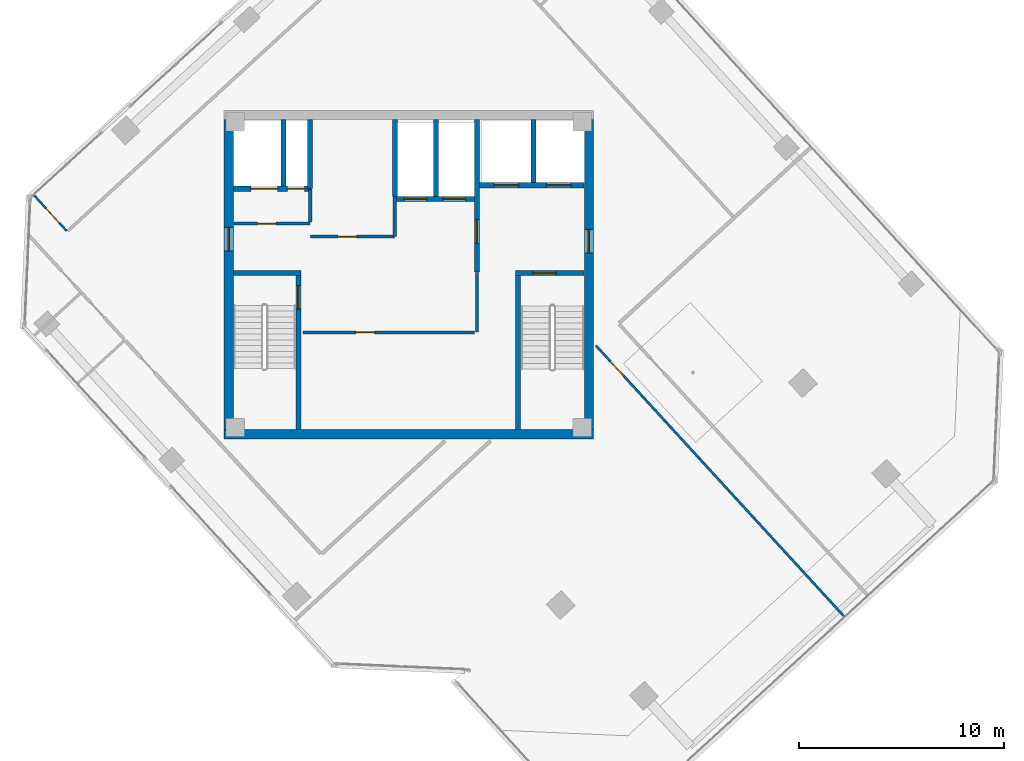
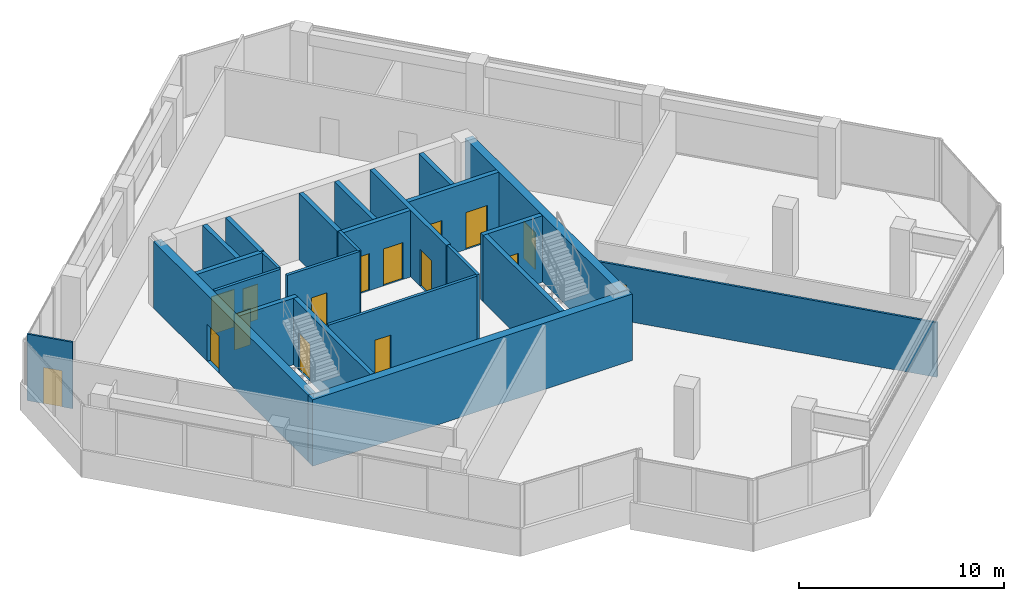
# One storey, part 13 of 18: 24 walls, 16 doors, 16 openings.
"""IFC4 building model written with IfcOpenShell, lengths in metres."""

from ifc_helpers import new_model, si_unit, direction, frame, frame_2d, origin, place, context, subcontext, project, spatial, rectangle, extrude, source, transform, mapped, material, layer, layer_set, type_object, element, fill, save


model = new_model("IFC4")

# Units and contexts
model_context = context("Model", 3, precision=1e-05, world=origin(), true_north=direction((0.0, 1.0)))
body_context = subcontext(model_context, "Body", "Model", "MODEL_VIEW")
ifc_project = project(units=[si_unit("LENGTHUNIT", "METRE"), si_unit("AREAUNIT", "SQUARE_METRE"), si_unit("VOLUMEUNIT", "CUBIC_METRE"), si_unit("PLANEANGLEUNIT", "RADIAN"), si_unit("MASSUNIT", "GRAM", prefix="KILO")], contexts=[model_context])

# Site, building, storey
site_placement = place(None, origin())
site = spatial("IfcSite", under=ifc_project, at=site_placement, CompositionType="ELEMENT")
building_placement = place(site_placement, origin())
building = spatial("IfcBuilding", under=site, at=building_placement, Name="Torre Montelarca", CompositionType="ELEMENT")
storey_placement = place(building_placement, frame((0.0, 0.0, 258.39990234375)))
storey = spatial("IfcBuildingStorey", under=building, at=storey_placement, Name="L58", CompositionType="ELEMENT", Elevation=258.39990234375)

# Wall, opening, door
ifc_material_1 = material(Name="Concrete C40/50", Category="concrete")
ifc_layer_1 = layer(ifc_material_1, 0.25, Name="Concrete C40/50", Category="concrete")
ifc_layer_set_1 = layer_set([ifc_layer_1], Name="Concrete C40/50")
wall_type_1 = type_object("IfcWallType", Name="CW-SHAFT-250", PredefinedType="SHEAR", material=ifc_layer_set_1)
wall_1_placement = place(storey_placement, frame((12.625, 24.4599609375, 0.0), z_axis=(0.0, 0.0, 1.0), x_axis=(0.0, 1.0, 0.0)))
wall_1 = element("IfcWall", 1, at=wall_1_placement, inside=storey, type_object=wall_type_1, Name="L58 Core Shear Wall SH-ST1-E", PredefinedType="SHEAR", context=body_context, shape_type="SweptSolid", body=[
    extrude(rectangle(XDim=7.489990234375, YDim=0.25, at=frame_2d((3.7451171875, 0.0))), origin(), (0.0, 0.0, 1.0), 3.960205078125),
])
opening_1_placement = place(wall_1_placement, frame((5.85009765625, 0.0, 0.0)))
opening_1 = element("IfcOpeningElement", 2, at=opening_1_placement, cuts=wall_1, Name="Opening FD-ST1", PredefinedType="OPENING", context=body_context, shape_type="SweptSolid", body=[
    extrude(rectangle(XDim=1.14990234375, YDim=2.199951171875, at=frame_2d((0.574951171875, 1.10009765625))), frame((0.0, 0.135009765625, 0.0), z_axis=(0.0, -1.0, 0.0), x_axis=(1.0, 0.0, 0.0)), (0.0, 0.0, 1.0), 0.27001953125),
])
ifc_material_2 = material(Name="Galvanized steel fire door", Category="steel")
door_type_1 = type_object("IfcDoorType", Name="DR-STAIR-115", OperationType="NOTDEFINED", PredefinedType="DOOR", material=ifc_material_2)
shared_shape_1 = source(origin(), body_context, "Body", "SweptSolid", [
    extrude(rectangle(XDim=1.14990234375, YDim=2.199951171875, at=frame_2d((0.574951171875, 1.10009765625))), frame((0.0, 0.02490234375, 0.0), z_axis=(0.0, -1.0, 0.0), x_axis=(1.0, 0.0, 0.0)), (0.0, 0.0, 1.0), 0.050048828125),
])
door_1_placement = place(opening_1_placement, origin())
door_1 = element("IfcDoor", 3, at=door_1_placement, inside=storey, type_object=door_type_1, Name="L58 Exit Stair ST1 Fire Door", OperationType="SINGLE_SWING_RIGHT", OverallHeight=2.199951171875, OverallWidth=1.14990234375, PredefinedType="DOOR", context=body_context, shape_type="MappedRepresentation", body=[
    mapped(shared_shape_1, transform((0.0, 0.0, 0.0), scale=1.0)),
])
fill(opening_1, door_1)

# Walls
wall_2_placement = place(storey_placement, frame((9.4599609375, 32.074951171875, 0.0), z_axis=(0.0, 0.0, 1.0), x_axis=(1.0, 0.0, 0.0)))
element("IfcWall", 4, at=wall_2_placement, inside=storey, type_object=wall_type_1, Name="L58 Core Shear Wall SH-ST1-N", PredefinedType="SHEAR", context=body_context, shape_type="SweptSolid", body=[
    extrude(rectangle(XDim=3.2900390625, YDim=0.25, at=frame_2d((1.64501953125, 0.0))), origin(), (0.0, 0.0, 1.0), 3.960205078125),
])
wall_3_placement = place(storey_placement, frame((23.31494140625, 24.4599609375, 0.0), z_axis=(0.0, 0.0, 1.0), x_axis=(0.0, 1.0, 0.0)))
element("IfcWall", 5, at=wall_3_placement, inside=storey, type_object=wall_type_1, Name="L58 Core Shear Wall SH-ST2-W", PredefinedType="SHEAR", context=body_context, shape_type="SweptSolid", body=[
    extrude(rectangle(XDim=7.489990234375, YDim=0.25, at=frame_2d((3.7451171875, 0.0))), origin(), (0.0, 0.0, 1.0), 3.960205078125),
])

# Wall, opening, door
wall_4_placement = place(storey_placement, frame((23.18994140625, 32.074951171875, 0.0), z_axis=(0.0, 0.0, 1.0), x_axis=(1.0, 0.0, 0.0)))
wall_4 = element("IfcWall", 6, at=wall_4_placement, inside=storey, type_object=wall_type_1, Name="L58 Core Shear Wall SH-ST2-N", PredefinedType="SHEAR", context=body_context, shape_type="SweptSolid", body=[
    extrude(rectangle(XDim=3.35009765625, YDim=0.25, at=frame_2d((1.675048828125, 0.0))), origin(), (0.0, 0.0, 1.0), 3.960205078125),
])
opening_2_placement = place(wall_4_placement, frame((0.85009765625, 0.0, 0.0)))
opening_2 = element("IfcOpeningElement", 7, at=opening_2_placement, cuts=wall_4, Name="Opening FD-ST1", PredefinedType="OPENING", context=body_context, shape_type="SweptSolid", body=[
    extrude(rectangle(XDim=1.14990234375, YDim=2.199951171875, at=frame_2d((0.574951171875, 1.10009765625))), frame((0.0, 0.135009765625, 0.0), z_axis=(0.0, -1.0, 0.0), x_axis=(1.0, 0.0, 0.0)), (0.0, 0.0, 1.0), 0.27001953125),
])
door_2_placement = place(opening_2_placement, origin())
door_2 = element("IfcDoor", 8, at=door_2_placement, inside=storey, type_object=door_type_1, Name="L58 Exit Stair ST2 Fire Door", OperationType="SINGLE_SWING_RIGHT", OverallHeight=2.199951171875, OverallWidth=1.14990234375, PredefinedType="DOOR", context=body_context, shape_type="MappedRepresentation", body=[
    mapped(shared_shape_1, transform((0.0, 0.0, 0.0), scale=1.0)),
])
fill(opening_2, door_2)

wall_5_placement = place(storey_placement, frame((21.320068359375, 32.1201171875, 0.0), z_axis=(0.0, 0.0, 1.0), x_axis=(0.0, 1.0, 0.0)))
wall_5 = element("IfcWall", 9, at=wall_5_placement, inside=storey, type_object=wall_type_1, Name="L58 Core Shear Wall SH-FFL-W", PredefinedType="SHEAR", context=body_context, shape_type="SweptSolid", body=[
    extrude(rectangle(XDim=7.419921875, YDim=0.25, at=frame_2d((3.7099609375, 0.0))), origin(), (0.0, 0.0, 1.0), 3.960205078125),
])
opening_3_placement = place(wall_5_placement, frame((1.39990234375, 0.0, 0.0)))
opening_3 = element("IfcOpeningElement", 10, at=opening_3_placement, cuts=wall_5, Name="Opening FD-LB1", PredefinedType="OPENING", context=body_context, shape_type="SweptSolid", body=[
    extrude(rectangle(XDim=1.14990234375, YDim=2.199951171875, at=frame_2d((0.574951171875, 1.10009765625))), frame((0.0, 0.135009765625, 0.0), z_axis=(0.0, -1.0, 0.0), x_axis=(1.0, 0.0, 0.0)), (0.0, 0.0, 1.0), 0.27001953125),
])
ifc_material_3 = material(Name="Acoustic timber-veneered fire door", Category="wood")
door_type_2 = type_object("IfcDoorType", Name="DR-LOBBY-115", OperationType="NOTDEFINED", PredefinedType="DOOR", material=ifc_material_3)
shared_shape_2 = source(origin(), body_context, "Body", "SweptSolid", [
    extrude(rectangle(XDim=1.14990234375, YDim=2.199951171875, at=frame_2d((0.574951171875, 1.10009765625))), frame((0.0, 0.02490234375, 0.0), z_axis=(0.0, -1.0, 0.0), x_axis=(1.0, 0.0, 0.0)), (0.0, 0.0, 1.0), 0.050048828125),
])
door_3_placement = place(opening_3_placement, origin())
door_3 = element("IfcDoor", 11, at=door_3_placement, inside=storey, type_object=door_type_2, Name="L58 Lift Lobby to Firefighting Lobby Smoke Door", OperationType="SINGLE_SWING_LEFT", OverallHeight=2.199951171875, OverallWidth=1.14990234375, PredefinedType="DOOR", context=body_context, shape_type="MappedRepresentation", body=[
    mapped(shared_shape_2, transform((0.0, 0.0, 0.0), scale=1.0)),
])
fill(opening_3, door_3)

# Wall, openings, doors
wall_6_placement = place(storey_placement, frame((9.4599609375, 36.179931640625, 0.0), z_axis=(0.0, 0.0, 1.0), x_axis=(1.0, 0.0, 0.0)))
wall_6 = element("IfcWall", 12, at=wall_6_placement, inside=storey, type_object=wall_type_1, Name="L58 Core Shear Wall SH-SV1-S", PredefinedType="SHEAR", context=body_context, shape_type="SweptSolid", body=[
    extrude(rectangle(XDim=3.7900390625, YDim=0.25, at=frame_2d((1.89501953125, 0.0))), origin(), (0.0, 0.0, 1.0), 3.960205078125),
])
opening_4_placement = place(wall_6_placement, frame((2.6201171875, 0.0, 0.0)))
opening_4 = element("IfcOpeningElement", 13, at=opening_4_placement, cuts=wall_6, Name="Opening FD-085", PredefinedType="OPENING", context=body_context, shape_type="SweptSolid", body=[
    extrude(rectangle(XDim=0.85009765625, YDim=2.10009765625, at=frame_2d((0.425048828125, 1.050048828125))), frame((0.0, 0.135009765625, 0.0), z_axis=(0.0, -1.0, 0.0), x_axis=(1.0, 0.0, 0.0)), (0.0, 0.0, 1.0), 0.27001953125),
])
opening_5_placement = place(wall_6_placement, frame((0.85009765625, 0.0, 0.0)))
opening_5 = element("IfcOpeningElement", 14, at=opening_5_placement, cuts=wall_6, Name="Opening LD-130", PredefinedType="OPENING", context=body_context, shape_type="SweptSolid", body=[
    extrude(rectangle(XDim=1.300048828125, YDim=2.25, at=frame_2d((0.64990234375, 1.125))), frame((0.0, 0.135009765625, 0.0), z_axis=(0.0, -1.0, 0.0), x_axis=(1.0, 0.0, 0.0)), (0.0, 0.0, 1.0), 0.27001953125),
])
ifc_material_4 = material(Name="Steel riser access fire door", Category="steel")
door_type_3 = type_object("IfcDoorType", Name="DR-RISER-085", OperationType="NOTDEFINED", PredefinedType="DOOR", material=ifc_material_4)
shared_shape_3 = source(origin(), body_context, "Body", "SweptSolid", [
    extrude(rectangle(XDim=0.85009765625, YDim=2.10009765625, at=frame_2d((0.425048828125, 1.050048828125))), frame((0.0, 0.02490234375, 0.0), z_axis=(0.0, -1.0, 0.0), x_axis=(1.0, 0.0, 0.0)), (0.0, 0.0, 1.0), 0.050048828125),
])
door_4_placement = place(opening_4_placement, origin())
door_4 = element("IfcDoor", 15, at=door_4_placement, inside=storey, type_object=door_type_3, Name="L58 Electrical Riser Shaft Access Door", OperationType="SINGLE_SWING_RIGHT", OverallHeight=2.10009765625, OverallWidth=0.85009765625, PredefinedType="DOOR", context=body_context, shape_type="MappedRepresentation", body=[
    mapped(shared_shape_3, transform((0.0, 0.0, 0.0), scale=1.0)),
])
fill(opening_4, door_4)
ifc_material_5 = material(Name="Brushed stainless steel AISI 316", Category="steel")
door_type_4 = type_object("IfcDoorType", Name="DR-LIFT-130", OperationType="SLIDING_TO_LEFT", PredefinedType="DOOR", material=ifc_material_5)
shared_shape_4 = source(origin(), body_context, "Body", "SweptSolid", [
    extrude(rectangle(XDim=1.300048828125, YDim=2.25, at=frame_2d((0.64990234375, 1.125))), frame((0.0, 0.02490234375, 0.0), z_axis=(0.0, -1.0, 0.0), x_axis=(1.0, 0.0, 0.0)), (0.0, 0.0, 1.0), 0.050048828125),
])
door_5_placement = place(opening_5_placement, origin())
door_5 = element("IfcDoor", 16, at=door_5_placement, inside=storey, type_object=door_type_4, Name="L58 Lift Landing Sliding Door SV-1", OperationType="SLIDING_TO_LEFT", OverallHeight=2.25, OverallWidth=1.300048828125, PredefinedType="DOOR", context=body_context, shape_type="MappedRepresentation", body=[
    mapped(shared_shape_4, transform((0.0, 0.0, 0.0), scale=1.0)),
])
fill(opening_5, door_5)

# Wall
wall_7_placement = place(storey_placement, frame((11.89990234375, 36.31005859375, 0.0), z_axis=(0.0, 0.0, 1.0), x_axis=(0.0, 1.0, 0.0)))
element("IfcWall", 17, at=wall_7_placement, inside=storey, type_object=wall_type_1, Name="L58 Core Shear Wall SH-SV1-E", PredefinedType="SHEAR", context=body_context, shape_type="SweptSolid", body=[
    extrude(rectangle(XDim=3.22998046875, YDim=0.25, at=frame_2d((1.614990234375, 0.0))), origin(), (0.0, 0.0, 1.0), 3.960205078125),
])

# Wall, openings, doors
wall_8_placement = place(storey_placement, frame((21.449951171875, 36.35009765625, 0.0), z_axis=(0.0, 0.0, 1.0), x_axis=(1.0, 0.0, 0.0)))
wall_8 = element("IfcWall", 18, at=wall_8_placement, inside=storey, type_object=wall_type_1, Name="L58 Core Shear Wall SH-FF-S", PredefinedType="SHEAR", context=body_context, shape_type="SweptSolid", body=[
    extrude(rectangle(XDim=5.090087890625, YDim=0.25, at=frame_2d((2.544921875, 0.0))), origin(), (0.0, 0.0, 1.0), 3.960205078125),
])
opening_6_placement = place(wall_8_placement, frame((0.699951171875, 0.0, 0.0)))
opening_6 = element("IfcOpeningElement", 19, at=opening_6_placement, cuts=wall_8, Name="Opening LD-120", PredefinedType="OPENING", context=body_context, shape_type="SweptSolid", body=[
    extrude(rectangle(XDim=1.199951171875, YDim=2.199951171875, at=frame_2d((0.60009765625, 1.10009765625))), frame((0.0, 0.135009765625, 0.0), z_axis=(0.0, -1.0, 0.0), x_axis=(1.0, 0.0, 0.0)), (0.0, 0.0, 1.0), 0.27001953125),
])
opening_7_placement = place(wall_8_placement, frame((3.25, 0.0, 0.0)))
opening_7 = element("IfcOpeningElement", 20, at=opening_7_placement, cuts=wall_8, Name="Opening LD-120", PredefinedType="OPENING", context=body_context, shape_type="SweptSolid", body=[
    extrude(rectangle(XDim=1.199951171875, YDim=2.199951171875, at=frame_2d((0.60009765625, 1.10009765625))), frame((0.0, 0.135009765625, 0.0), z_axis=(0.0, -1.0, 0.0), x_axis=(1.0, 0.0, 0.0)), (0.0, 0.0, 1.0), 0.27001953125),
])
door_type_5 = type_object("IfcDoorType", Name="DR-LIFT-120", OperationType="SLIDING_TO_RIGHT", PredefinedType="DOOR", material=ifc_material_5)
shared_shape_5 = source(origin(), body_context, "Body", "SweptSolid", [
    extrude(rectangle(XDim=1.199951171875, YDim=2.199951171875, at=frame_2d((0.60009765625, 1.10009765625))), frame((0.0, 0.02490234375, 0.0), z_axis=(0.0, -1.0, 0.0), x_axis=(1.0, 0.0, 0.0)), (0.0, 0.0, 1.0), 0.050048828125),
])
door_6_placement = place(opening_6_placement, origin())
door_6 = element("IfcDoor", 21, at=door_6_placement, inside=storey, type_object=door_type_5, Name="L58 Lift Landing Sliding Door FF-1", OperationType="SLIDING_TO_LEFT", OverallHeight=2.199951171875, OverallWidth=1.199951171875, PredefinedType="DOOR", context=body_context, shape_type="MappedRepresentation", body=[
    mapped(shared_shape_5, transform((0.0, 0.0, 0.0), scale=1.0)),
])
fill(opening_6, door_6)
door_7_placement = place(opening_7_placement, origin())
door_7 = element("IfcDoor", 22, at=door_7_placement, inside=storey, type_object=door_type_5, Name="L58 Lift Landing Sliding Door FF-2", OperationType="SLIDING_TO_RIGHT", OverallHeight=2.199951171875, OverallWidth=1.199951171875, PredefinedType="DOOR", context=body_context, shape_type="MappedRepresentation", body=[
    mapped(shared_shape_5, transform((0.0, 0.0, 0.0), scale=1.0)),
])
fill(opening_7, door_7)

# Walls
wall_9_placement = place(storey_placement, frame((24.080078125, 36.47998046875, 0.0), z_axis=(0.0, 0.0, 1.0), x_axis=(0.0, 1.0, 0.0)))
element("IfcWall", 23, at=wall_9_placement, inside=storey, type_object=wall_type_1, Name="L58 Core Shear Wall SH-FF-M", PredefinedType="SHEAR", context=body_context, shape_type="SweptSolid", body=[
    extrude(rectangle(XDim=3.06005859375, YDim=0.25, at=frame_2d((1.530029296875, 0.0))), origin(), (0.0, 0.0, 1.0), 3.960205078125),
])
wall_10_placement = place(storey_placement, frame((13.179931640625, 36.199951171875, 0.0), z_axis=(0.0, 0.0, 1.0), x_axis=(0.0, 1.0, 0.0)))
element("IfcWall", 24, at=wall_10_placement, inside=storey, type_object=wall_type_1, Name="L58 Core Shear Wall SH-RSR1-E", PredefinedType="SHEAR", context=body_context, shape_type="SweptSolid", body=[
    extrude(rectangle(XDim=3.340087890625, YDim=0.25, at=frame_2d((1.669921875, 0.0))), origin(), (0.0, 0.0, 1.0), 3.960205078125),
])

# Wall, openings, doors
wall_11_placement = place(storey_placement, frame((17.320068359375, 35.679931640625, 0.0), z_axis=(0.0, 0.0, 1.0), x_axis=(1.0, 0.0, 0.0)))
wall_11 = element("IfcWall", 25, at=wall_11_placement, inside=storey, type_object=wall_type_1, Name="L58 Core Shear Wall SH-PLH-S", PredefinedType="SHEAR", context=body_context, shape_type="SweptSolid", body=[
    extrude(rectangle(XDim=3.869873046875, YDim=0.25, at=frame_2d((1.93505859375, 0.0))), origin(), (0.0, 0.0, 1.0), 3.960205078125),
])
opening_8_placement = place(wall_11_placement, frame((0.449951171875, 0.0, 0.0)))
opening_8 = element("IfcOpeningElement", 26, at=opening_8_placement, cuts=wall_11, Name="Opening LD-110", PredefinedType="OPENING", context=body_context, shape_type="SweptSolid", body=[
    extrude(rectangle(XDim=1.10009765625, YDim=2.199951171875, at=frame_2d((0.550048828125, 1.10009765625))), frame((0.0, 0.135009765625, 0.0), z_axis=(0.0, -1.0, 0.0), x_axis=(1.0, 0.0, 0.0)), (0.0, 0.0, 1.0), 0.27001953125),
])
opening_9_placement = place(wall_11_placement, frame((2.35009765625, 0.0, 0.0)))
opening_9 = element("IfcOpeningElement", 27, at=opening_9_placement, cuts=wall_11, Name="Opening LD-110", PredefinedType="OPENING", context=body_context, shape_type="SweptSolid", body=[
    extrude(rectangle(XDim=1.10009765625, YDim=2.199951171875, at=frame_2d((0.550048828125, 1.10009765625))), frame((0.0, 0.135009765625, 0.0), z_axis=(0.0, -1.0, 0.0), x_axis=(1.0, 0.0, 0.0)), (0.0, 0.0, 1.0), 0.27001953125),
])
door_type_6 = type_object("IfcDoorType", Name="DR-LIFT-110", OperationType="SLIDING_TO_LEFT", PredefinedType="DOOR", material=ifc_material_5)
shared_shape_6 = source(origin(), body_context, "Body", "SweptSolid", [
    extrude(rectangle(XDim=1.10009765625, YDim=2.199951171875, at=frame_2d((0.550048828125, 1.10009765625))), frame((0.0, 0.02490234375, 0.0), z_axis=(0.0, -1.0, 0.0), x_axis=(1.0, 0.0, 0.0)), (0.0, 0.0, 1.0), 0.050048828125),
])
door_8_placement = place(opening_8_placement, origin())
door_8 = element("IfcDoor", 28, at=door_8_placement, inside=storey, type_object=door_type_6, Name="L58 Lift Landing Sliding Door PL-H1", OperationType="SLIDING_TO_LEFT", OverallHeight=2.199951171875, OverallWidth=1.10009765625, PredefinedType="DOOR", context=body_context, shape_type="MappedRepresentation", body=[
    mapped(shared_shape_6, transform((0.0, 0.0, 0.0), scale=1.0)),
])
fill(opening_8, door_8)
door_9_placement = place(opening_9_placement, origin())
door_9 = element("IfcDoor", 29, at=door_9_placement, inside=storey, type_object=door_type_6, Name="L58 Lift Landing Sliding Door PL-H2", OperationType="SLIDING_TO_RIGHT", OverallHeight=2.199951171875, OverallWidth=1.10009765625, PredefinedType="DOOR", context=body_context, shape_type="MappedRepresentation", body=[
    mapped(shared_shape_6, transform((0.0, 0.0, 0.0), scale=1.0)),
])
fill(opening_9, door_9)

# Walls
for number, where, z_axis, x_axis, name in (
    (30, (17.320068359375, 35.81005859375, 0.0), (0.0, 0.0, 1.0), (0.0, 1.0, 0.0), "L58 Core Shear Wall SH-PLH-W"),
    (31, (19.320068359375, 35.81005859375, 0.0), (0.0, 0.0, 1.0), (0.0, 1.0, 0.0), "L58 Core Shear Wall SH-PLH-M"),
):
    element("IfcWall", number, at=place(storey_placement, frame(where, z_axis=z_axis, x_axis=x_axis)), inside=storey, type_object=wall_type_1, Name=name, PredefinedType="SHEAR", context=body_context, shape_type="SweptSolid", body=[
        extrude(rectangle(XDim=3.72998046875, YDim=0.25, at=frame_2d((1.864990234375, 0.0))), origin(), (0.0, 0.0, 1.0), 3.960205078125),
    ])

# Wall, opening, door
ifc_material_6 = material(Name="Concrete C55/67", Category="concrete")
ifc_layer_2 = layer(ifc_material_6, 0.449951171875, Name="Concrete C55/67", Category="concrete")
ifc_layer_set_2 = layer_set([ifc_layer_2], Name="Concrete C55/67")
wall_type_2 = type_object("IfcWallType", Name="CW-SHEAR-450", PredefinedType="SHEAR", material=ifc_layer_set_2)
wall_12_placement = place(storey_placement, frame((9.22509765625, 24.449951171875, 0.0), z_axis=(0.0, 0.0, 1.0), x_axis=(0.0, 1.0, 0.0)))
wall_12 = element("IfcWall", 32, at=wall_12_placement, inside=storey, type_object=wall_type_2, Name="L58 Core Shear Wall CW-W", PredefinedType="SHEAR", context=body_context, shape_type="SweptSolid", body=[
    extrude(rectangle(XDim=15.10009765625, YDim=0.449951171875, at=frame_2d((7.550048828125, 0.0))), origin(), (0.0, 0.0, 1.0), 3.960205078125),
])
opening_10_placement = place(wall_12_placement, frame((8.699951171875, 0.0, 0.0)))
opening_10 = element("IfcOpeningElement", 33, at=opening_10_placement, cuts=wall_12, Name="Opening FD-LB1", PredefinedType="OPENING", context=body_context, shape_type="SweptSolid", body=[
    extrude(rectangle(XDim=1.14990234375, YDim=2.199951171875, at=frame_2d((0.574951171875, 1.10009765625))), frame((0.0, 0.23486328125, 0.0), z_axis=(0.0, -1.0, 0.0), x_axis=(1.0, 0.0, 0.0)), (0.0, 0.0, 1.0), 0.469970703125),
])
door_10_placement = place(opening_10_placement, origin())
door_10 = element("IfcDoor", 34, at=door_10_placement, inside=storey, type_object=door_type_2, Name="L58 Passenger Lift Lobby West Corridor Fire Door", OperationType="SINGLE_SWING_RIGHT", OverallHeight=2.199951171875, OverallWidth=1.14990234375, PredefinedType="DOOR", context=body_context, shape_type="MappedRepresentation", body=[
    mapped(shared_shape_2, transform((0.0, 0.0, 0.0), scale=1.0)),
])
fill(opening_10, door_10)

wall_13_placement = place(storey_placement, frame((26.77490234375, 24.449951171875, 0.0), z_axis=(0.0, 0.0, 1.0), x_axis=(0.0, 1.0, 0.0)))
wall_13 = element("IfcWall", 35, at=wall_13_placement, inside=storey, type_object=wall_type_2, Name="L58 Core Shear Wall CW-E", PredefinedType="SHEAR", context=body_context, shape_type="SweptSolid", body=[
    extrude(rectangle(XDim=15.10009765625, YDim=0.449951171875, at=frame_2d((7.550048828125, 0.0))), origin(), (0.0, 0.0, 1.0), 3.960205078125),
])
opening_11_placement = place(wall_13_placement, frame((8.60009765625, 0.0, 0.0)))
opening_11 = element("IfcOpeningElement", 36, at=opening_11_placement, cuts=wall_13, Name="Opening FD-LB1", PredefinedType="OPENING", context=body_context, shape_type="SweptSolid", body=[
    extrude(rectangle(XDim=1.14990234375, YDim=2.199951171875, at=frame_2d((0.574951171875, 1.10009765625))), frame((0.0, 0.23486328125, 0.0), z_axis=(0.0, -1.0, 0.0), x_axis=(1.0, 0.0, 0.0)), (0.0, 0.0, 1.0), 0.469970703125),
])
door_11_placement = place(opening_11_placement, origin())
door_11 = element("IfcDoor", 37, at=door_11_placement, inside=storey, type_object=door_type_2, Name="L58 Firefighting Lift Lobby Corridor Fire Door", OperationType="SINGLE_SWING_RIGHT", OverallHeight=2.199951171875, OverallWidth=1.14990234375, PredefinedType="DOOR", context=body_context, shape_type="MappedRepresentation", body=[
    mapped(shared_shape_2, transform((0.0, 0.0, 0.0), scale=1.0)),
])
fill(opening_11, door_11)

# Wall
wall_14_placement = place(storey_placement, frame((9.0, 24.22509765625, 0.0), z_axis=(0.0, 0.0, 1.0), x_axis=(1.0, 0.0, 0.0)))
element("IfcWall", 38, at=wall_14_placement, inside=storey, type_object=wall_type_2, Name="L58 Core Shear Wall CW-S1", PredefinedType="SHEAR", context=body_context, shape_type="SweptSolid", body=[
    extrude(rectangle(XDim=18.0, YDim=0.449951171875, at=frame_2d((9.0, 0.0))), origin(), (0.0, 0.0, 1.0), 3.960205078125),
])

# Wall, opening, door
ifc_material_7 = material(Name="Gypsum plasterboard on steel stud", Category="steel")
ifc_layer_3 = layer(ifc_material_7, 0.159912109375, Name="Gypsum plasterboard on steel stud", Category="steel")
ifc_layer_set_3 = layer_set([ifc_layer_3], Name="Gypsum plasterboard on steel stud")
wall_type_3 = type_object("IfcWallType", Name="PW-FIRE-160", PredefinedType="PARTITIONING", material=ifc_layer_set_3)
wall_15_placement = place(storey_placement, frame((9.489990234375, 34.47998046875, 0.0), z_axis=(0.0, 0.0, 1.0), x_axis=(1.0, 0.0, 0.0)))
wall_15 = element("IfcWall", 39, at=wall_15_placement, inside=storey, type_object=wall_type_3, Name="L58 Interior Partition CW-L58-SVS", PredefinedType="PARTITIONING", context=body_context, shape_type="SweptSolid", body=[
    extrude(rectangle(XDim=3.699951171875, YDim=0.159912109375, at=frame_2d((1.85009765625, 0.0))), origin(), (0.0, 0.0, 1.0), 3.960205078125),
])
opening_12_placement = place(wall_15_placement, frame((1.14990234375, 0.0, 0.0)))
opening_12 = element("IfcOpeningElement", 40, at=opening_12_placement, cuts=wall_15, Name="Opening FD-090", PredefinedType="OPENING", context=body_context, shape_type="SweptSolid", body=[
    extrude(rectangle(XDim=0.89990234375, YDim=2.14990234375, at=frame_2d((0.449951171875, 1.074951171875))), frame((0.0, 0.08984375, 0.0), z_axis=(0.0, -1.0, 0.0), x_axis=(1.0, 0.0, 0.0)), (0.0, 0.0, 1.0), 0.179931640625),
])
ifc_material_8 = material(Name="Steel service fire door", Category="steel")
door_type_7 = type_object("IfcDoorType", Name="DR-FIRE-090", OperationType="NOTDEFINED", PredefinedType="DOOR", material=ifc_material_8)
shared_shape_7 = source(origin(), body_context, "Body", "SweptSolid", [
    extrude(rectangle(XDim=0.89990234375, YDim=2.14990234375, at=frame_2d((0.449951171875, 1.074951171875))), frame((0.0, 0.02490234375, 0.0), z_axis=(0.0, -1.0, 0.0), x_axis=(1.0, 0.0, 0.0)), (0.0, 0.0, 1.0), 0.050048828125),
])
door_12_placement = place(opening_12_placement, origin())
door_12 = element("IfcDoor", 41, at=door_12_placement, inside=storey, type_object=door_type_7, Name="L58 Interior Door 01", OperationType="SINGLE_SWING_RIGHT", OverallHeight=2.14990234375, OverallWidth=0.89990234375, PredefinedType="DOOR", context=body_context, shape_type="MappedRepresentation", body=[
    mapped(shared_shape_7, transform((0.0, 0.0, 0.0), scale=1.0)),
])
fill(opening_12, door_12)

# Wall
wall_16_placement = place(storey_placement, frame((13.199951171875, 34.570068359375, 0.0), z_axis=(0.0, 0.0, 1.0), x_axis=(0.0, 1.0, 0.0)))
element("IfcWall", 42, at=wall_16_placement, inside=storey, type_object=wall_type_3, Name="L58 Interior Partition CW-L58-SVE", PredefinedType="PARTITIONING", context=body_context, shape_type="SweptSolid", body=[
    extrude(rectangle(XDim=1.56982421875, YDim=0.159912109375, at=frame_2d((0.784912109375, 0.0))), origin(), (0.0, 0.0, 1.0), 3.960205078125),
])

# Wall, opening, door
wall_17_placement = place(storey_placement, frame((13.2099609375, 33.85009765625, 0.0), z_axis=(0.0, 0.0, 1.0), x_axis=(1.0, 0.0, 0.0)))
wall_17 = element("IfcWall", 43, at=wall_17_placement, inside=storey, type_object=wall_type_3, Name="L58 Interior Partition CW-L58-FRMS", PredefinedType="PARTITIONING", context=body_context, shape_type="SweptSolid", body=[
    extrude(rectangle(XDim=4.10009765625, YDim=0.159912109375, at=frame_2d((2.050048828125, 0.0))), origin(), (0.0, 0.0, 1.0), 3.960205078125),
])
opening_13_placement = place(wall_17_placement, frame((1.35009765625, 0.0, 0.0)))
opening_13 = element("IfcOpeningElement", 44, at=opening_13_placement, cuts=wall_17, Name="Opening FD-090", PredefinedType="OPENING", context=body_context, shape_type="SweptSolid", body=[
    extrude(rectangle(XDim=0.89990234375, YDim=2.14990234375, at=frame_2d((0.449951171875, 1.074951171875))), frame((0.0, 0.08984375, 0.0), z_axis=(0.0, -1.0, 0.0), x_axis=(1.0, 0.0, 0.0)), (0.0, 0.0, 1.0), 0.179931640625),
])
door_13_placement = place(opening_13_placement, origin())
door_13 = element("IfcDoor", 45, at=door_13_placement, inside=storey, type_object=door_type_7, Name="L58 Interior Door 02", OperationType="SINGLE_SWING_LEFT", OverallHeight=2.14990234375, OverallWidth=0.89990234375, PredefinedType="DOOR", context=body_context, shape_type="MappedRepresentation", body=[
    mapped(shared_shape_7, transform((0.0, 0.0, 0.0), scale=1.0)),
])
fill(opening_13, door_13)

# Wall
wall_18_placement = place(storey_placement, frame((17.320068359375, 33.860107421875, 0.0), z_axis=(0.0, 0.0, 1.0), x_axis=(0.0, 1.0, 0.0)))
element("IfcWall", 46, at=wall_18_placement, inside=storey, type_object=wall_type_3, Name="L58 Interior Partition CW-L58-FRME", PredefinedType="PARTITIONING", context=body_context, shape_type="SweptSolid", body=[
    extrude(rectangle(XDim=1.929931640625, YDim=0.159912109375, at=frame_2d((0.96484375, 0.0))), origin(), (0.0, 0.0, 1.0), 3.960205078125),
])

# Wall, opening, door
wall_19_placement = place(storey_placement, frame((12.840087890625, 29.179931640625, 0.0), z_axis=(0.0, 0.0, 1.0), x_axis=(1.0, 0.0, 0.0)))
wall_19 = element("IfcWall", 47, at=wall_19_placement, inside=storey, type_object=wall_type_3, Name="L58 Interior Partition CW-L58-FRDN", PredefinedType="PARTITIONING", context=body_context, shape_type="SweptSolid", body=[
    extrude(rectangle(XDim=8.369873046875, YDim=0.159912109375, at=frame_2d((4.18505859375, 0.0))), origin(), (0.0, 0.0, 1.0), 3.960205078125),
])
opening_14_placement = place(wall_19_placement, frame((2.60009765625, 0.0, 0.0)))
opening_14 = element("IfcOpeningElement", 48, at=opening_14_placement, cuts=wall_19, Name="Opening FD-090", PredefinedType="OPENING", context=body_context, shape_type="SweptSolid", body=[
    extrude(rectangle(XDim=0.89990234375, YDim=2.14990234375, at=frame_2d((0.449951171875, 1.074951171875))), frame((0.0, 0.08984375, 0.0), z_axis=(0.0, -1.0, 0.0), x_axis=(1.0, 0.0, 0.0)), (0.0, 0.0, 1.0), 0.179931640625),
])
door_14_placement = place(opening_14_placement, origin())
door_14 = element("IfcDoor", 49, at=door_14_placement, inside=storey, type_object=door_type_7, Name="L58 Interior Door 03", OperationType="SINGLE_SWING_LEFT", OverallHeight=2.14990234375, OverallWidth=0.89990234375, PredefinedType="DOOR", context=body_context, shape_type="MappedRepresentation", body=[
    mapped(shared_shape_7, transform((0.0, 0.0, 0.0), scale=1.0)),
])
fill(opening_14, door_14)

# Wall
wall_20_placement = place(storey_placement, frame((21.320068359375, 29.18994140625, 0.0), z_axis=(0.0, 0.0, 1.0), x_axis=(0.0, 1.0, 0.0)))
element("IfcWall", 50, at=wall_20_placement, inside=storey, type_object=wall_type_3, Name="L58 Interior Partition CW-L58-FRE", PredefinedType="PARTITIONING", context=body_context, shape_type="SweptSolid", body=[
    extrude(rectangle(XDim=2.920166015625, YDim=0.159912109375, at=frame_2d((1.4599609375, 0.0))), origin(), (0.0, 0.0, 1.0), 3.960205078125),
])

# Wall, opening, door
ifc_material_9 = material(Name="Acoustic laminated glass partition", Category="glass")
ifc_layer_4 = layer(ifc_material_9, 0.10009765625, Name="Acoustic laminated glass partition", Category="glass")
ifc_layer_set_4 = layer_set([ifc_layer_4], Name="Acoustic laminated glass partition")
wall_type_4 = type_object("IfcWallType", Name="PW-GLAZ-100", PredefinedType="PARTITIONING", material=ifc_layer_set_4)
wall_21_placement = place(storey_placement, frame((-0.238037109375, 35.843994140625, 0.0), z_axis=(0.0, 0.0, 1.0), x_axis=(0.67562972666, -0.737241122329, 0.0)))
wall_21 = element("IfcWall", 51, at=wall_21_placement, inside=storey, type_object=wall_type_4, Name="L58 Interior Partition W-L58-WPKS", PredefinedType="PARTITIONING", context=body_context, shape_type="SweptSolid", body=[
    extrude(rectangle(XDim=2.330078125, YDim=0.10009765625, at=frame_2d((1.1650390625, 0.0))), origin(), (0.0, 0.0, 1.0), 3.960205078125),
])
opening_15_placement = place(wall_21_placement, frame((0.85009765625, 0.0, 0.0)))
opening_15 = element("IfcOpeningElement", 52, at=opening_15_placement, cuts=wall_21, Name="Opening ID-095", PredefinedType="OPENING", context=body_context, shape_type="SweptSolid", body=[
    extrude(rectangle(XDim=0.949951171875, YDim=2.14990234375, at=frame_2d((0.47509765625, 1.074951171875))), frame((0.0, 0.06005859375, 0.0), z_axis=(0.0, -1.0, 0.0), x_axis=(1.0, 0.0, 0.0)), (0.0, 0.0, 1.0), 0.1201171875),
])
ifc_material_10 = material(Name="Hardwood acoustic timber veneer", Category="wood")
door_type_8 = type_object("IfcDoorType", Name="DR-INT-095", OperationType="NOTDEFINED", PredefinedType="DOOR", material=ifc_material_10)
shared_shape_8 = source(origin(), body_context, "Body", "SweptSolid", [
    extrude(rectangle(XDim=0.949951171875, YDim=2.14990234375, at=frame_2d((0.47509765625, 1.074951171875))), frame((0.0, 0.02490234375, 0.0), z_axis=(0.0, -1.0, 0.0), x_axis=(1.0, 0.0, 0.0)), (0.0, 0.0, 1.0), 0.050048828125),
])
door_15_placement = place(opening_15_placement, origin())
door_15 = element("IfcDoor", 53, at=door_15_placement, inside=storey, type_object=door_type_8, Name="L58 Interior Door 09", OperationType="SINGLE_SWING_LEFT", OverallHeight=2.14990234375, OverallWidth=0.949951171875, PredefinedType="DOOR", context=body_context, shape_type="MappedRepresentation", body=[
    mapped(shared_shape_8, transform((0.0, 0.0, 0.0), scale=1.0)),
])
fill(opening_15, door_15)

ifc_layer_5 = layer(ifc_material_7, 0.114990234375, Name="Gypsum plasterboard on steel stud", Category="steel")
ifc_layer_set_5 = layer_set([ifc_layer_5], Name="Gypsum plasterboard on steel stud")
wall_type_5 = type_object("IfcWallType", Name="PW-PART-115", PredefinedType="PARTITIONING", material=ifc_layer_set_5)
wall_22_placement = place(storey_placement, frame((27.1103515625, 28.541748046875, 0.0), z_axis=(0.0, 0.0, 1.0), x_axis=(0.675588589041, -0.737278819957, 0.0)))
wall_22 = element("IfcWall", 54, at=wall_22_placement, inside=storey, type_object=wall_type_5, Name="L58 Interior Partition W-L58-SE-N", PredefinedType="PARTITIONING", context=body_context, shape_type="SweptSolid", body=[
    extrude(rectangle(XDim=17.880126953125, YDim=0.114990234375, at=frame_2d((8.93994140625, 0.0))), origin(), (0.0, 0.0, 1.0), 3.252685546875),
])
opening_16_placement = place(wall_22_placement, frame((1.050048828125, 0.0, 0.0)))
opening_16 = element("IfcOpeningElement", 55, at=opening_16_placement, cuts=wall_22, Name="Opening ID-095", PredefinedType="OPENING", context=body_context, shape_type="SweptSolid", body=[
    extrude(rectangle(XDim=0.949951171875, YDim=2.14990234375, at=frame_2d((0.47509765625, 1.074951171875))), frame((0.0, 0.0673828125, 0.0), z_axis=(0.0, -1.0, 0.0), x_axis=(1.0, 0.0, 0.0)), (0.0, 0.0, 1.0), 0.135009765625),
])
door_16_placement = place(opening_16_placement, origin())
door_16 = element("IfcDoor", 56, at=door_16_placement, inside=storey, type_object=door_type_8, Name="L58 Interior Door 11", OperationType="SINGLE_SWING_LEFT", OverallHeight=2.14990234375, OverallWidth=0.949951171875, PredefinedType="DOOR", context=body_context, shape_type="MappedRepresentation", body=[
    mapped(shared_shape_8, transform((0.0, 0.0, 0.0), scale=1.0)),
])
fill(opening_16, door_16)

save(model, "model.ifc")
